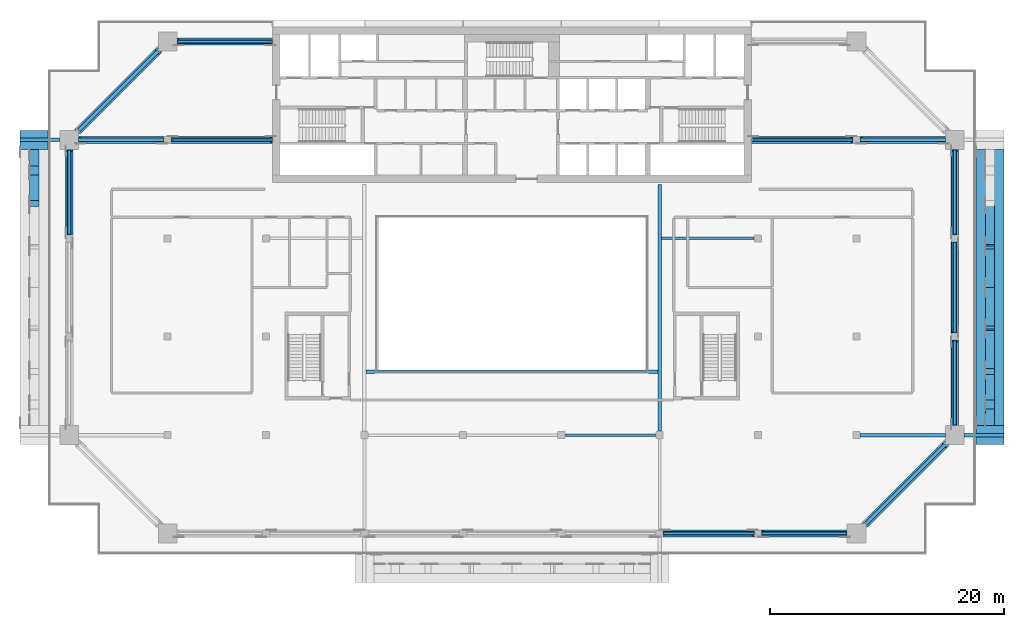
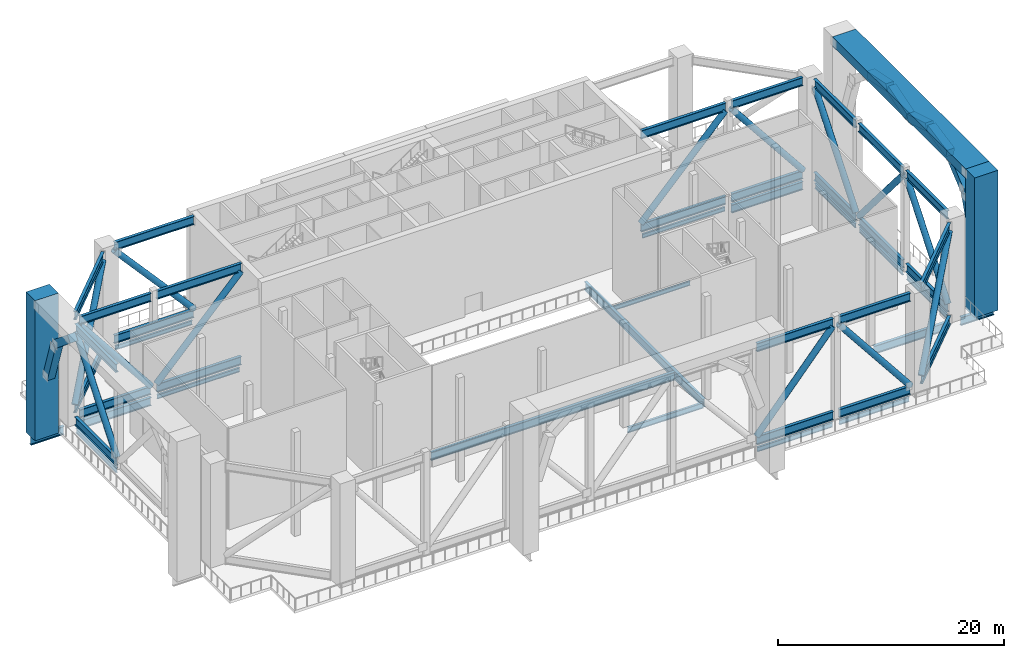
# One storey, part 2 of 19: 50 members, 18 beams.
"""IFC4 building model written with IfcOpenShell, lengths in metres."""

from ifc_helpers import new_model, si_unit, direction, frame, origin, origin_2d, place, context, subcontext, project, spatial, rectangle, hollow_circle, i_section, extrude, material, material_profile, profile_set, type_object, element, save


model = new_model("IFC4")

# Units and contexts
model_context = context("Model", 3, precision=1e-05, world=origin(), true_north=direction((0.0, 1.0)))
body_context = subcontext(model_context, "Body", "Model", "MODEL_VIEW")
ifc_project = project(units=[si_unit("LENGTHUNIT", "METRE"), si_unit("AREAUNIT", "SQUARE_METRE"), si_unit("VOLUMEUNIT", "CUBIC_METRE"), si_unit("PLANEANGLEUNIT", "RADIAN"), si_unit("MASSUNIT", "GRAM", prefix="KILO")], contexts=[model_context])

# Site, building, storey
site_placement = place(None, origin())
site = spatial("IfcSite", under=ifc_project, at=site_placement, CompositionType="ELEMENT")
building_placement = place(site_placement, origin())
building = spatial("IfcBuilding", under=site, at=building_placement, Name="Saffron Gate Tower", CompositionType="ELEMENT")
storey_placement = place(building_placement, frame((0.0, 0.0, 194.25)))
storey = spatial("IfcBuildingStorey", under=building, at=storey_placement, Name="L48", CompositionType="ELEMENT", Elevation=194.25)

# Beams
ifc_material_1 = material(Name="Structural steel S355", Category="steel")
ifc_material_profile_1 = material_profile(ifc_material_1, i_section(OverallWidth=0.199951171875, OverallDepth=0.5, WebThickness=0.01025390625, FlangeThickness=0.01611328125, FilletRadius=0.02099609375, at=origin_2d()))
ifc_profile_set_1 = profile_set([ifc_material_profile_1], Name="Structural steel S355")
beam_type_1 = type_object("IfcBeamType", Name="B11 IPE 500", PredefinedType="SPANDREL", material=ifc_profile_set_1)
beam_1_placement = place(storey_placement, frame((49.800048828125, 57.35009765625, -0.550048828125), z_axis=(0.0, 1.0, 0.0), x_axis=(-1.0, 0.0, 0.0)))
element("IfcBeam", 1, at=beam_1_placement, inside=storey, type_object=beam_type_1, Name="B11 SPANDREL BEAM", PredefinedType="SPANDREL", context=body_context, shape_type="SweptSolid", body=[
    extrude(i_section(OverallWidth=0.199951171875, OverallDepth=0.5, WebThickness=0.01025390625, FlangeThickness=0.01611328125, FilletRadius=0.02099609375, at=origin_2d()), origin(), (0.0, 0.0, 1.0), 7.14990234375),
])
beam_2_placement = place(storey_placement, frame((100.550048828125, 31.800048828125, -0.550048828125), z_axis=(1.0, 0.0, 0.0), x_axis=(0.0, 1.0, 0.0)))
element("IfcBeam", 2, at=beam_2_placement, inside=storey, type_object=beam_type_1, Name="B11 SPANDREL BEAM", PredefinedType="SPANDREL", context=body_context, shape_type="SweptSolid", body=[
    extrude(i_section(OverallWidth=0.199951171875, OverallDepth=0.5, WebThickness=0.01025390625, FlangeThickness=0.01611328125, FilletRadius=0.02099609375, at=origin_2d()), origin(), (0.0, 0.0, 1.0), 7.699951171875),
])
beam_3_placement = place(storey_placement, frame((108.949951171875, 31.800048828125, -0.550048828125), z_axis=(1.0, 0.0, 0.0), x_axis=(0.0, 1.0, 0.0)))
element("IfcBeam", 3, at=beam_3_placement, inside=storey, type_object=beam_type_1, Name="B11 SPANDREL BEAM", PredefinedType="SPANDREL", context=body_context, shape_type="SweptSolid", body=[
    extrude(i_section(OverallWidth=0.199951171875, OverallDepth=0.5, WebThickness=0.01025390625, FlangeThickness=0.01611328125, FilletRadius=0.02099609375, at=origin_2d()), origin(), (0.0, 0.0, 1.0), 7.150146484375),
])
beam_4_placement = place(storey_placement, frame((125.39990234375, 41.10009765625, -0.550048828125), z_axis=(0.0, 1.0, 0.0), x_axis=(-1.0, 0.0, 0.0)))
element("IfcBeam", 4, at=beam_4_placement, inside=storey, type_object=beam_type_1, Name="B11 SPANDREL BEAM", PredefinedType="SPANDREL", context=body_context, shape_type="SweptSolid", body=[
    extrude(i_section(OverallWidth=0.199951171875, OverallDepth=0.5, WebThickness=0.01025390625, FlangeThickness=0.01611328125, FilletRadius=0.02099609375, at=origin_2d()), origin(), (0.0, 0.0, 1.0), 7.14990234375),
])
beam_5_placement = place(storey_placement, frame((125.39990234375, 48.949951171875, -0.550048828125), z_axis=(0.0, 1.0, 0.0), x_axis=(-1.0, 0.0, 0.0)))
element("IfcBeam", 5, at=beam_5_placement, inside=storey, type_object=beam_type_1, Name="B11 SPANDREL BEAM", PredefinedType="SPANDREL", context=body_context, shape_type="SweptSolid", body=[
    extrude(i_section(OverallWidth=0.199951171875, OverallDepth=0.5, WebThickness=0.01025390625, FlangeThickness=0.01611328125, FilletRadius=0.02099609375, at=origin_2d()), origin(), (0.0, 0.0, 1.0), 7.699951171875),
])
beam_6_placement = place(storey_placement, frame((125.39990234375, 57.35009765625, -0.550048828125), z_axis=(0.0, 1.0, 0.0), x_axis=(-1.0, 0.0, 0.0)))
element("IfcBeam", 6, at=beam_6_placement, inside=storey, type_object=beam_type_1, Name="B11 SPANDREL BEAM", PredefinedType="SPANDREL", context=body_context, shape_type="SweptSolid", body=[
    extrude(i_section(OverallWidth=0.199951171875, OverallDepth=0.5, WebThickness=0.01025390625, FlangeThickness=0.01611328125, FilletRadius=0.02099609375, at=origin_2d()), origin(), (0.0, 0.0, 1.0), 7.14990234375),
])
ifc_material_profile_2 = material_profile(ifc_material_1, i_section(OverallWidth=0.219970703125, OverallDepth=0.60009765625, WebThickness=0.011962890625, FlangeThickness=0.01904296875, FilletRadius=0.02392578125, at=origin_2d()))
ifc_profile_set_2 = profile_set([ifc_material_profile_2], Name="Structural steel S355")
beam_type_2 = type_object("IfcBeamType", Name="B15 IPE 600", PredefinedType="BEAM", material=ifc_profile_set_2)
beam_7_placement = place(storey_placement, frame((92.14990234375, 40.199951171875, -0.60009765625), z_axis=(1.0, 0.0, 0.0), x_axis=(0.0, 1.0, 0.0)))
element("IfcBeam", 7, at=beam_7_placement, inside=storey, type_object=beam_type_2, Name="B15 FLOOR GIRDER", PredefinedType="BEAM", context=body_context, shape_type="SweptSolid", body=[
    extrude(i_section(OverallWidth=0.219970703125, OverallDepth=0.60009765625, WebThickness=0.011962890625, FlangeThickness=0.01904296875, FilletRadius=0.02392578125, at=origin_2d()), origin(), (0.0, 0.0, 1.0), 7.7001953125),
])
ifc_material_profile_3 = material_profile(ifc_material_1, i_section(OverallWidth=0.300048828125, OverallDepth=0.889892578125, WebThickness=0.01611328125, FlangeThickness=0.030029296875, FilletRadius=0.030029296875, at=origin_2d()))
ifc_profile_set_3 = profile_set([ifc_material_profile_3], Name="Structural steel S355")
beam_type_3 = type_object("IfcBeamType", Name="B19 HEA 900", PredefinedType="BEAM", material=ifc_profile_set_3)
beam_8_placement = place(storey_placement, frame((100.199951171875, 40.550048828125, -0.7451171875), z_axis=(0.0, 1.0, 0.0), x_axis=(-1.0, 0.0, 0.0)))
element("IfcBeam", 8, at=beam_8_placement, inside=storey, type_object=beam_type_3, Name="B19 ATRIUM GIRDER", PredefinedType="BEAM", context=body_context, shape_type="SweptSolid", body=[
    extrude(i_section(OverallWidth=0.300048828125, OverallDepth=0.889892578125, WebThickness=0.01611328125, FlangeThickness=0.030029296875, FilletRadius=0.030029296875, at=origin_2d()), origin(), (0.0, 0.0, 1.0), 21.050048828125),
])
beam_9_placement = place(storey_placement, frame((75.14990234375, 45.60009765625, -0.7451171875), z_axis=(1.0, 0.0, 0.0), x_axis=(0.0, 1.0, 0.0)))
element("IfcBeam", 9, at=beam_9_placement, inside=storey, type_object=beam_type_3, Name="B19 ATRIUM GIRDER", PredefinedType="BEAM", context=body_context, shape_type="SweptSolid", body=[
    extrude(i_section(OverallWidth=0.300048828125, OverallDepth=0.889892578125, WebThickness=0.01611328125, FlangeThickness=0.030029296875, FilletRadius=0.030029296875, at=origin_2d()), origin(), (0.0, 0.0, 1.0), 24.900146484375),
])
ifc_material_profile_4 = material_profile(ifc_material_1, i_section(OverallWidth=0.18994140625, OverallDepth=0.449951171875, WebThickness=0.009521484375, FlangeThickness=0.0146484375, FilletRadius=0.02099609375, at=origin_2d()))
ifc_profile_set_4 = profile_set([ifc_material_profile_4], Name="Structural steel S355")
beam_type_4 = type_object("IfcBeamType", Name="B6 IPE 450", PredefinedType="BEAM", material=ifc_profile_set_4)
beam_10_placement = place(storey_placement, frame((108.25, 57.0, -0.52490234375), z_axis=(-1.0, 0.0, 0.0), x_axis=(0.0, -1.0, 0.0)))
element("IfcBeam", 10, at=beam_10_placement, inside=storey, type_object=beam_type_4, Name="B6 CORE TIE BEAM", PredefinedType="BEAM", context=body_context, shape_type="SweptSolid", body=[
    extrude(i_section(OverallWidth=0.18994140625, OverallDepth=0.449951171875, WebThickness=0.009521484375, FlangeThickness=0.0146484375, FilletRadius=0.02099609375, at=origin_2d()), origin(), (0.0, 0.0, 1.0), 7.89990234375),
])
beam_11_placement = place(storey_placement, frame((58.550048828125, 65.39990234375, -0.52490234375), z_axis=(1.0, 0.0, 0.0), x_axis=(0.0, 1.0, 0.0)))
element("IfcBeam", 11, at=beam_11_placement, inside=storey, type_object=beam_type_4, Name="B6 CORE TIE BEAM", PredefinedType="BEAM", context=body_context, shape_type="SweptSolid", body=[
    extrude(i_section(OverallWidth=0.18994140625, OverallDepth=0.449951171875, WebThickness=0.009521484375, FlangeThickness=0.0146484375, FilletRadius=0.02099609375, at=origin_2d()), origin(), (0.0, 0.0, 1.0), 8.449951171875),
])
beam_12_placement = place(storey_placement, frame((59.10009765625, 73.800048828125, -0.52490234375), z_axis=(1.0, 0.0, 0.0), x_axis=(0.0, 1.0, 0.0)))
element("IfcBeam", 12, at=beam_12_placement, inside=storey, type_object=beam_type_4, Name="B6 CORE TIE BEAM", PredefinedType="BEAM", context=body_context, shape_type="SweptSolid", body=[
    extrude(i_section(OverallWidth=0.18994140625, OverallDepth=0.449951171875, WebThickness=0.009521484375, FlangeThickness=0.0146484375, FilletRadius=0.02099609375, at=origin_2d()), origin(), (0.0, 0.0, 1.0), 7.89990234375),
])
beam_13_placement = place(storey_placement, frame((116.64990234375, 65.39990234375, -0.52490234375), z_axis=(-1.0, 0.0, 0.0), x_axis=(0.0, -1.0, 0.0)))
element("IfcBeam", 13, at=beam_13_placement, inside=storey, type_object=beam_type_4, Name="B6 CORE TIE BEAM", PredefinedType="BEAM", context=body_context, shape_type="SweptSolid", body=[
    extrude(i_section(OverallWidth=0.18994140625, OverallDepth=0.449951171875, WebThickness=0.009521484375, FlangeThickness=0.0146484375, FilletRadius=0.02099609375, at=origin_2d()), origin(), (0.0, 0.0, 1.0), 8.449951171875),
])

# Members
ifc_material_profile_5 = material_profile(ifc_material_1, i_section(OverallWidth=0.300048828125, OverallDepth=0.89990234375, WebThickness=0.0185546875, FlangeThickness=0.034912109375, FilletRadius=0.030029296875, at=origin_2d()))
ifc_profile_set_5 = profile_set([ifc_material_profile_5], Name="Structural steel S355")
member_type_1 = type_object("IfcMemberType", Name="BT3 HEB 900", PredefinedType="CHORD", material=ifc_profile_set_5)
for number, where, z_axis, x_axis, name in (
    (14, (49.800048828125, 57.300048828125, 10.52001953125), (0.0, 1.0, 0.0), (-1.0, 0.0, 0.0), "BT3 BELT TRUSS TOP CHORD"),
    (15, (49.800048828125, 57.300048828125, 0.449951171875), (0.0, 1.0, 0.0), (-1.0, 0.0, 0.0), "BT3 BELT TRUSS BOTTOM CHORD"),
):
    element("IfcMember", number, at=place(storey_placement, frame(where, z_axis=z_axis, x_axis=x_axis)), inside=storey, type_object=member_type_1, Name=name, PredefinedType="CHORD", context=body_context, shape_type="SweptSolid", body=[
        extrude(i_section(OverallWidth=0.300048828125, OverallDepth=0.89990234375, WebThickness=0.0185546875, FlangeThickness=0.034912109375, FilletRadius=0.030029296875, at=origin_2d()), origin(), (0.0, 0.0, 1.0), 7.300048828125),
    ])
for number, where, z_axis, x_axis, name in (
    (16, (100.5, 31.800048828125, 10.52001953125), (1.0, 0.0, 0.0), (0.0, 1.0, 0.0), "BT3 BELT TRUSS TOP CHORD"),
    (17, (100.5, 31.800048828125, 0.449951171875), (1.0, 0.0, 0.0), (0.0, 1.0, 0.0), "BT3 BELT TRUSS BOTTOM CHORD"),
):
    element("IfcMember", number, at=place(storey_placement, frame(where, z_axis=z_axis, x_axis=x_axis)), inside=storey, type_object=member_type_1, Name=name, PredefinedType="CHORD", context=body_context, shape_type="SweptSolid", body=[
        extrude(i_section(OverallWidth=0.300048828125, OverallDepth=0.89990234375, WebThickness=0.0185546875, FlangeThickness=0.034912109375, FilletRadius=0.030029296875, at=origin_2d()), origin(), (0.0, 0.0, 1.0), 7.800048828125),
    ])
for number, where, z_axis, x_axis, name in (
    (18, (108.89990234375, 31.800048828125, 10.52001953125), (1.0, 0.0, 0.0), (0.0, 1.0, 0.0), "BT3 BELT TRUSS TOP CHORD"),
    (19, (108.89990234375, 31.800048828125, 0.449951171875), (1.0, 0.0, 0.0), (0.0, 1.0, 0.0), "BT3 BELT TRUSS BOTTOM CHORD"),
    (20, (125.39990234375, 41.0, 10.52001953125), (0.0, 1.0, 0.0), (-1.0, 0.0, 0.0), "BT3 BELT TRUSS TOP CHORD"),
    (21, (125.39990234375, 41.0, 0.449951171875), (0.0, 1.0, 0.0), (-1.0, 0.0, 0.0), "BT3 BELT TRUSS BOTTOM CHORD"),
):
    element("IfcMember", number, at=place(storey_placement, frame(where, z_axis=z_axis, x_axis=x_axis)), inside=storey, type_object=member_type_1, Name=name, PredefinedType="CHORD", context=body_context, shape_type="SweptSolid", body=[
        extrude(i_section(OverallWidth=0.300048828125, OverallDepth=0.89990234375, WebThickness=0.0185546875, FlangeThickness=0.034912109375, FilletRadius=0.030029296875, at=origin_2d()), origin(), (0.0, 0.0, 1.0), 7.300048828125),
    ])
for number, where, z_axis, x_axis, name in (
    (22, (125.39990234375, 48.89990234375, 10.52001953125), (0.0, 1.0, 0.0), (-1.0, 0.0, 0.0), "BT3 BELT TRUSS TOP CHORD"),
    (23, (125.39990234375, 48.89990234375, 0.449951171875), (0.0, 1.0, 0.0), (-1.0, 0.0, 0.0), "BT3 BELT TRUSS BOTTOM CHORD"),
):
    element("IfcMember", number, at=place(storey_placement, frame(where, z_axis=z_axis, x_axis=x_axis)), inside=storey, type_object=member_type_1, Name=name, PredefinedType="CHORD", context=body_context, shape_type="SweptSolid", body=[
        extrude(i_section(OverallWidth=0.300048828125, OverallDepth=0.89990234375, WebThickness=0.0185546875, FlangeThickness=0.034912109375, FilletRadius=0.030029296875, at=origin_2d()), origin(), (0.0, 0.0, 1.0), 7.800048828125),
    ])
for number, where, z_axis, x_axis, name in (
    (24, (125.39990234375, 57.300048828125, 10.52001953125), (0.0, 1.0, 0.0), (-1.0, 0.0, 0.0), "BT3 BELT TRUSS TOP CHORD"),
    (25, (125.39990234375, 57.300048828125, 0.449951171875), (0.0, 1.0, 0.0), (-1.0, 0.0, 0.0), "BT3 BELT TRUSS BOTTOM CHORD"),
):
    element("IfcMember", number, at=place(storey_placement, frame(where, z_axis=z_axis, x_axis=x_axis)), inside=storey, type_object=member_type_1, Name=name, PredefinedType="CHORD", context=body_context, shape_type="SweptSolid", body=[
        extrude(i_section(OverallWidth=0.300048828125, OverallDepth=0.89990234375, WebThickness=0.0185546875, FlangeThickness=0.034912109375, FilletRadius=0.030029296875, at=origin_2d()), origin(), (0.0, 0.0, 1.0), 7.300048828125),
    ])
for number, where, z_axis, x_axis, name in (
    (26, (117.800048828125, 32.60009765625, 10.52001953125), (0.707119474848, 0.707094087297, 0.0), (-0.707094087297, 0.707119474848, 0.0), "BT3 BELT TRUSS TOP CHORD"),
    (27, (117.800048828125, 32.60009765625, 0.449951171875), (0.707119474848, 0.707094087297, 0.0), (-0.707094087297, 0.707119474848, 0.0), "BT3 BELT TRUSS BOTTOM CHORD"),
    (28, (57.39990234375, 73.0, 10.52001953125), (-0.707094087297, -0.707119474848, 0.0), (0.707119474848, -0.707094087297, 0.0), "BT3 BELT TRUSS TOP CHORD"),
    (29, (57.39990234375, 73.0, 0.449951171875), (-0.707094087297, -0.707119474848, 0.0), (0.707119474848, -0.707094087297, 0.0), "BT3 BELT TRUSS BOTTOM CHORD"),
):
    element("IfcMember", number, at=place(storey_placement, frame(where, z_axis=z_axis, x_axis=x_axis)), inside=storey, type_object=member_type_1, Name=name, PredefinedType="CHORD", context=body_context, shape_type="SweptSolid", body=[
        extrude(i_section(OverallWidth=0.300048828125, OverallDepth=0.89990234375, WebThickness=0.0185546875, FlangeThickness=0.034912109375, FilletRadius=0.030029296875, at=origin_2d()), origin(), (0.0, 0.0, 1.0), 9.616455078125),
    ])
ifc_material_profile_6 = material_profile(ifc_material_1, hollow_circle(Radius=0.304931640625, WallThickness=0.02001953125, at=origin_2d()))
ifc_profile_set_6 = profile_set([ifc_material_profile_6], Name="Structural steel S355")
member_type_2 = type_object("IfcMemberType", Name="BT6 CHS 610x20", PredefinedType="BRACE", material=ifc_profile_set_6)
member_1_placement = place(storey_placement, frame((49.800048828125, 57.300048828125, 0.89990234375), z_axis=(0.0, 0.622816067841, 0.782368292839), x_axis=(-1.0, 0.0, 0.0)))
element("IfcMember", 30, at=member_1_placement, inside=storey, type_object=member_type_2, Name="BT6 BELT TRUSS DIAGONAL", PredefinedType="BRACE", context=body_context, shape_type="SweptSolid", body=[
    extrude(hollow_circle(Radius=0.304931640625, WallThickness=0.02001953125, at=origin_2d()), origin(), (0.0, 0.0, 1.0), 11.720947265625),
])
member_2_placement = place(storey_placement, frame((100.5, 31.800048828125, 0.89990234375), z_axis=(0.647909160404, 0.0, 0.761717611629), x_axis=(0.0, 1.0, 0.0)))
element("IfcMember", 31, at=member_2_placement, inside=storey, type_object=member_type_2, Name="BT6 BELT TRUSS DIAGONAL", PredefinedType="BRACE", context=body_context, shape_type="SweptSolid", body=[
    extrude(hollow_circle(Radius=0.304931640625, WallThickness=0.02001953125, at=origin_2d()), origin(), (0.0, 0.0, 1.0), 12.038818359375),
])
for number, where, z_axis, x_axis, name in (
    (32, (116.199951171875, 31.800048828125, 0.89990234375), (-0.622816067841, 0.0, 0.782368292839), (0.0, -1.0, 0.0), "BT6 BELT TRUSS DIAGONAL"),
    (33, (125.39990234375, 41.0, 0.89990234375), (0.0, 0.622816067841, 0.782368292839), (-1.0, 0.0, 0.0), "BT6 BELT TRUSS DIAGONAL"),
):
    element("IfcMember", number, at=place(storey_placement, frame(where, z_axis=z_axis, x_axis=x_axis)), inside=storey, type_object=member_type_2, Name=name, PredefinedType="BRACE", context=body_context, shape_type="SweptSolid", body=[
        extrude(hollow_circle(Radius=0.304931640625, WallThickness=0.02001953125, at=origin_2d()), origin(), (0.0, 0.0, 1.0), 11.720947265625),
    ])
member_3_placement = place(storey_placement, frame((125.39990234375, 56.699951171875, 0.89990234375), z_axis=(0.0, -0.647909160404, 0.761717611629), x_axis=(1.0, 0.0, 0.0)))
element("IfcMember", 34, at=member_3_placement, inside=storey, type_object=member_type_2, Name="BT6 BELT TRUSS DIAGONAL", PredefinedType="BRACE", context=body_context, shape_type="SweptSolid", body=[
    extrude(hollow_circle(Radius=0.304931640625, WallThickness=0.02001953125, at=origin_2d()), origin(), (0.0, 0.0, 1.0), 12.038818359375),
])
member_4_placement = place(storey_placement, frame((125.39990234375, 57.300048828125, 0.89990234375), z_axis=(0.0, 0.622816067841, 0.782368292839), x_axis=(-1.0, 0.0, 0.0)))
element("IfcMember", 35, at=member_4_placement, inside=storey, type_object=member_type_2, Name="BT6 BELT TRUSS DIAGONAL", PredefinedType="BRACE", context=body_context, shape_type="SweptSolid", body=[
    extrude(hollow_circle(Radius=0.304931640625, WallThickness=0.02001953125, at=origin_2d()), origin(), (0.0, 0.0, 1.0), 11.720947265625),
])
for number, where, z_axis, x_axis, name in (
    (36, (117.800048828125, 32.60009765625, 0.89990234375), (0.511745026966, 0.511726653899, 0.690110758549), (-0.707094087297, 0.707119474848, 0.0), "BT6 BELT TRUSS DIAGONAL"),
    (37, (50.60009765625, 66.199951171875, 0.89990234375), (0.511726653899, 0.511745026966, 0.690110758549), (-0.707119474848, 0.707094087297, 0.0), "BT6 BELT TRUSS DIAGONAL"),
):
    element("IfcMember", number, at=place(storey_placement, frame(where, z_axis=z_axis, x_axis=x_axis)), inside=storey, type_object=member_type_2, Name=name, PredefinedType="BRACE", context=body_context, shape_type="SweptSolid", body=[
        extrude(hollow_circle(Radius=0.304931640625, WallThickness=0.02001953125, at=origin_2d()), origin(), (0.0, 0.0, 1.0), 13.287841796875),
    ])
ifc_material_profile_7 = material_profile(ifc_material_1, i_section(OverallWidth=0.300048828125, OverallDepth=0.89990234375, WebThickness=0.0185546875, FlangeThickness=0.034912109375, FilletRadius=0.030029296875, at=origin_2d()))
ifc_profile_set_7 = profile_set([ifc_material_profile_7], Name="Structural steel S355")
member_type_3 = type_object("IfcMemberType", Name="OT2 HEB 900", PredefinedType="CHORD", material=ifc_profile_set_7)
for number, where, z_axis, x_axis, name in (
    (38, (50.60009765625, 65.39990234375, 10.52001953125), (1.0, 0.0, 0.0), (0.0, 1.0, 0.0), "OT2 OUTRIGGER TOP CHORD"),
    (39, (50.60009765625, 65.39990234375, 0.449951171875), (1.0, 0.0, 0.0), (0.0, 1.0, 0.0), "OT2 OUTRIGGER BOTTOM CHORD"),
):
    element("IfcMember", number, at=place(storey_placement, frame(where, z_axis=z_axis, x_axis=x_axis)), inside=storey, type_object=member_type_3, Name=name, PredefinedType="CHORD", context=body_context, shape_type="SweptSolid", body=[
        extrude(i_section(OverallWidth=0.300048828125, OverallDepth=0.89990234375, WebThickness=0.0185546875, FlangeThickness=0.034912109375, FilletRadius=0.030029296875, at=origin_2d()), origin(), (0.0, 0.0, 1.0), 7.2998046875),
    ])
for number, where, z_axis, x_axis, name in (
    (40, (58.5, 65.39990234375, 10.52001953125), (1.0, 0.0, 0.0), (0.0, 1.0, 0.0), "OT2 OUTRIGGER TOP CHORD"),
    (41, (58.5, 65.39990234375, 0.449951171875), (1.0, 0.0, 0.0), (0.0, 1.0, 0.0), "OT2 OUTRIGGER BOTTOM CHORD"),
):
    element("IfcMember", number, at=place(storey_placement, frame(where, z_axis=z_axis, x_axis=x_axis)), inside=storey, type_object=member_type_3, Name=name, PredefinedType="CHORD", context=body_context, shape_type="SweptSolid", body=[
        extrude(i_section(OverallWidth=0.300048828125, OverallDepth=0.89990234375, WebThickness=0.0185546875, FlangeThickness=0.034912109375, FilletRadius=0.030029296875, at=origin_2d()), origin(), (0.0, 0.0, 1.0), 8.64990234375),
    ])
for number, where, z_axis, x_axis, name in (
    (42, (59.0, 73.800048828125, 10.52001953125), (1.0, 0.0, 0.0), (0.0, 1.0, 0.0), "OT2 OUTRIGGER TOP CHORD"),
    (43, (59.0, 73.800048828125, 0.449951171875), (1.0, 0.0, 0.0), (0.0, 1.0, 0.0), "OT2 OUTRIGGER BOTTOM CHORD"),
):
    element("IfcMember", number, at=place(storey_placement, frame(where, z_axis=z_axis, x_axis=x_axis)), inside=storey, type_object=member_type_3, Name=name, PredefinedType="CHORD", context=body_context, shape_type="SweptSolid", body=[
        extrude(i_section(OverallWidth=0.300048828125, OverallDepth=0.89990234375, WebThickness=0.0185546875, FlangeThickness=0.034912109375, FilletRadius=0.030029296875, at=origin_2d()), origin(), (0.0, 0.0, 1.0), 8.14990234375),
    ])
for number, where, z_axis, x_axis, name in (
    (44, (124.60009765625, 65.39990234375, 10.52001953125), (-1.0, 0.0, 0.0), (0.0, -1.0, 0.0), "OT2 OUTRIGGER TOP CHORD"),
    (45, (124.60009765625, 65.39990234375, 0.449951171875), (-1.0, 0.0, 0.0), (0.0, -1.0, 0.0), "OT2 OUTRIGGER BOTTOM CHORD"),
):
    element("IfcMember", number, at=place(storey_placement, frame(where, z_axis=z_axis, x_axis=x_axis)), inside=storey, type_object=member_type_3, Name=name, PredefinedType="CHORD", context=body_context, shape_type="SweptSolid", body=[
        extrude(i_section(OverallWidth=0.300048828125, OverallDepth=0.89990234375, WebThickness=0.0185546875, FlangeThickness=0.034912109375, FilletRadius=0.030029296875, at=origin_2d()), origin(), (0.0, 0.0, 1.0), 7.300048828125),
    ])
for number, where, z_axis, x_axis, name in (
    (46, (116.699951171875, 65.39990234375, 10.52001953125), (-1.0, 0.0, 0.0), (0.0, -1.0, 0.0), "OT2 OUTRIGGER TOP CHORD"),
    (47, (116.699951171875, 65.39990234375, 0.449951171875), (-1.0, 0.0, 0.0), (0.0, -1.0, 0.0), "OT2 OUTRIGGER BOTTOM CHORD"),
):
    element("IfcMember", number, at=place(storey_placement, frame(where, z_axis=z_axis, x_axis=x_axis)), inside=storey, type_object=member_type_3, Name=name, PredefinedType="CHORD", context=body_context, shape_type="SweptSolid", body=[
        extrude(i_section(OverallWidth=0.300048828125, OverallDepth=0.89990234375, WebThickness=0.0185546875, FlangeThickness=0.034912109375, FilletRadius=0.030029296875, at=origin_2d()), origin(), (0.0, 0.0, 1.0), 8.64990234375),
    ])
ifc_material_profile_8 = material_profile(ifc_material_1, hollow_circle(Radius=0.304931640625, WallThickness=0.02001953125, at=origin_2d()))
ifc_profile_set_8 = profile_set([ifc_material_profile_8], Name="Structural steel S355")
member_type_4 = type_object("IfcMemberType", Name="OT5 CHS 610x20", PredefinedType="BRACE", material=ifc_profile_set_8)
member_5_placement = place(storey_placement, frame((57.89990234375, 65.39990234375, 0.89990234375), z_axis=(-0.622803317992, 0.0, 0.782378442378), x_axis=(0.0, -1.0, 0.0)))
element("IfcMember", 48, at=member_5_placement, inside=storey, type_object=member_type_4, Name="OT5 OUTRIGGER DIAGONAL", PredefinedType="BRACE", context=body_context, shape_type="SweptSolid", body=[
    extrude(hollow_circle(Radius=0.304931640625, WallThickness=0.02001953125, at=origin_2d()), origin(), (0.0, 0.0, 1.0), 11.720947265625),
])
member_6_placement = place(storey_placement, frame((58.5, 65.39990234375, 0.89990234375), z_axis=(0.686170156614, 0.0, 0.727441074021), x_axis=(0.0, 1.0, 0.0)))
element("IfcMember", 49, at=member_6_placement, inside=storey, type_object=member_type_4, Name="OT5 OUTRIGGER DIAGONAL", PredefinedType="BRACE", context=body_context, shape_type="SweptSolid", body=[
    extrude(hollow_circle(Radius=0.304931640625, WallThickness=0.02001953125, at=origin_2d()), origin(), (0.0, 0.0, 1.0), 12.60595703125),
])
member_7_placement = place(storey_placement, frame((67.14990234375, 73.800048828125, 0.89990234375), z_axis=(-0.664302077915, 0.0, 0.747464212707), x_axis=(0.0, -1.0, 0.0)))
element("IfcMember", 50, at=member_7_placement, inside=storey, type_object=member_type_4, Name="OT5 OUTRIGGER DIAGONAL", PredefinedType="BRACE", context=body_context, shape_type="SweptSolid", body=[
    extrude(hollow_circle(Radius=0.304931640625, WallThickness=0.02001953125, at=origin_2d()), origin(), (0.0, 0.0, 1.0), 12.268310546875),
])
member_8_placement = place(storey_placement, frame((124.60009765625, 65.39990234375, 0.89990234375), z_axis=(-0.622816067841, 0.0, 0.782368292839), x_axis=(0.0, -1.0, 0.0)))
element("IfcMember", 51, at=member_8_placement, inside=storey, type_object=member_type_4, Name="OT5 OUTRIGGER DIAGONAL", PredefinedType="BRACE", context=body_context, shape_type="SweptSolid", body=[
    extrude(hollow_circle(Radius=0.304931640625, WallThickness=0.02001953125, at=origin_2d()), origin(), (0.0, 0.0, 1.0), 11.720947265625),
])
member_9_placement = place(storey_placement, frame((108.050048828125, 65.39990234375, 0.89990234375), z_axis=(0.686170156614, 0.0, 0.727441074021), x_axis=(0.0, 1.0, 0.0)))
element("IfcMember", 52, at=member_9_placement, inside=storey, type_object=member_type_4, Name="OT5 OUTRIGGER DIAGONAL", PredefinedType="BRACE", context=body_context, shape_type="SweptSolid", body=[
    extrude(hollow_circle(Radius=0.304931640625, WallThickness=0.02001953125, at=origin_2d()), origin(), (0.0, 0.0, 1.0), 12.60595703125),
])
ifc_material_2 = material(Name="Concrete C60", Category="concrete")
ifc_material_profile_9 = material_profile(ifc_material_2, rectangle(XDim=0.800048828125, YDim=0.800048828125, at=origin_2d()))
ifc_profile_set_9 = profile_set([ifc_material_profile_9], Name="Concrete C60")
member_type_5 = type_object("IfcMemberType", Name="PA1 RC 800x800", PredefinedType="BRACE", material=ifc_profile_set_9)
member_10_placement = place(storey_placement, frame((128.39990234375, 41.39990234375, 6.517578125), z_axis=(0.0, 0.311866101482, 0.950126062555), x_axis=(-1.0, 0.0, 0.0)))
element("IfcMember", 53, at=member_10_placement, inside=storey, type_object=member_type_5, Name="PA1 PISHTAQ ARCH", PredefinedType="BRACE", context=body_context, shape_type="SweptSolid", body=[
    extrude(rectangle(XDim=0.800048828125, YDim=0.800048828125, at=origin_2d()), origin(), (0.0, 0.0, 1.0), 4.571044921875),
])
member_11_placement = place(storey_placement, frame((128.39990234375, 42.95068359375, 11.044189453125), z_axis=(0.0, 0.771329894849, 0.636435537436), x_axis=(-1.0, 0.0, 0.0)))
element("IfcMember", 54, at=member_11_placement, inside=storey, type_object=member_type_5, Name="PA1 PISHTAQ ARCH", PredefinedType="BRACE", context=body_context, shape_type="SweptSolid", body=[
    extrude(rectangle(XDim=0.800048828125, YDim=0.800048828125, at=origin_2d()), origin(), (0.0, 0.0, 1.0), 3.453125),
])
member_12_placement = place(storey_placement, frame((128.39990234375, 45.79052734375, 13.32568359375), z_axis=(0.0, 0.98073469826, 0.195344443559), x_axis=(-1.0, 0.0, 0.0)))
element("IfcMember", 55, at=member_12_placement, inside=storey, type_object=member_type_5, Name="PA1 PISHTAQ ARCH", PredefinedType="BRACE", context=body_context, shape_type="SweptSolid", body=[
    extrude(rectangle(XDim=0.800048828125, YDim=0.800048828125, at=origin_2d()), origin(), (0.0, 0.0, 1.0), 3.46826171875),
])
for number, where, z_axis, x_axis, name in (
    (56, (128.39990234375, 49.38720703125, 13.993408203125), (0.0, 0.956311969023, -0.292348110826), (-1.0, 0.0, 0.0), "PA1 PISHTAQ ARCH"),
    (57, (128.39990234375, 52.9169921875, 12.98583984375), (0.0, 0.956311969023, 0.292348110826), (-1.0, 0.0, 0.0), "PA1 PISHTAQ ARCH"),
):
    element("IfcMember", number, at=place(storey_placement, frame(where, z_axis=z_axis, x_axis=x_axis)), inside=storey, type_object=member_type_5, Name=name, PredefinedType="BRACE", context=body_context, shape_type="SweptSolid", body=[
        extrude(rectangle(XDim=0.800048828125, YDim=0.800048828125, at=origin_2d()), origin(), (0.0, 0.0, 1.0), 3.446533203125),
    ])
member_13_placement = place(storey_placement, frame((128.39990234375, 56.407958984375, 14.003173828125), z_axis=(0.0, 0.98073469826, -0.195344443559), x_axis=(-1.0, 0.0, 0.0)))
element("IfcMember", 58, at=member_13_placement, inside=storey, type_object=member_type_5, Name="PA1 PISHTAQ ARCH", PredefinedType="BRACE", context=body_context, shape_type="SweptSolid", body=[
    extrude(rectangle(XDim=0.800048828125, YDim=0.800048828125, at=origin_2d()), origin(), (0.0, 0.0, 1.0), 3.46826171875),
])
member_14_placement = place(storey_placement, frame((46.800048828125, 59.98583984375, 13.241943359375), z_axis=(0.0, 0.771301255722, -0.636470245119), x_axis=(-1.0, 0.0, 0.0)))
element("IfcMember", 59, at=member_14_placement, inside=storey, type_object=member_type_5, Name="PA1 PISHTAQ ARCH", PredefinedType="BRACE", context=body_context, shape_type="SweptSolid", body=[
    extrude(rectangle(XDim=0.800048828125, YDim=0.800048828125, at=origin_2d()), origin(), (0.0, 0.0, 1.0), 3.453125),
])
member_15_placement = place(storey_placement, frame((46.800048828125, 62.774658203125, 10.860595703125), z_axis=(0.0, 0.311817884168, -0.950141887885), x_axis=(-1.0, 0.0, 0.0)))
element("IfcMember", 60, at=member_15_placement, inside=storey, type_object=member_type_5, Name="PA1 PISHTAQ ARCH", PredefinedType="BRACE", context=body_context, shape_type="SweptSolid", body=[
    extrude(rectangle(XDim=0.800048828125, YDim=0.800048828125, at=origin_2d()), origin(), (0.0, 0.0, 1.0), 4.57080078125),
])
ifc_material_profile_10 = material_profile(ifc_material_2, rectangle(XDim=2.39990234375, YDim=1.0, at=origin_2d()))
ifc_profile_set_10 = profile_set([ifc_material_profile_10], Name="Concrete C60")
member_type_6 = type_object("IfcMemberType", Name="PK1 RC 2400x1000", PredefinedType="BRACE", material=ifc_profile_set_10)
member_16_placement = place(storey_placement, frame((128.39990234375, 41.0, 14.35009765625), z_axis=(0.0, 1.0, 0.0), x_axis=(-1.0, 0.0, 0.0)))
element("IfcMember", 61, at=member_16_placement, inside=storey, type_object=member_type_6, Name="PK1 PISHTAQ CAP BEAM", PredefinedType="BRACE", context=body_context, shape_type="SweptSolid", body=[
    extrude(rectangle(XDim=2.39990234375, YDim=1.0, at=origin_2d()), origin(), (0.0, 0.0, 1.0), 23.60009765625),
])
ifc_material_profile_11 = material_profile(ifc_material_2, rectangle(XDim=2.39990234375, YDim=1.60009765625, at=origin_2d()))
ifc_profile_set_11 = profile_set([ifc_material_profile_11], Name="Concrete C60")
member_type_7 = type_object("IfcMemberType", Name="PP1 RC 2400x1600", PredefinedType="POST", material=ifc_profile_set_11)
for number, where, z_axis, x_axis, name in (
    (62, (128.39990234375, 40.199951171875, -0.300048828125), (0.0, 0.0, 1.0), (1.0, 0.0, 0.0), "PP1 PISHTAQ PIER"),
    (63, (46.800048828125, 65.39990234375, -0.300048828125), (0.0, 0.0, 1.0), (1.0, 0.0, 0.0), "PP1 PISHTAQ PIER"),
):
    element("IfcMember", number, at=place(storey_placement, frame(where, z_axis=z_axis, x_axis=x_axis)), inside=storey, type_object=member_type_7, Name=name, PredefinedType="POST", context=body_context, shape_type="SweptSolid", body=[
        extrude(rectangle(XDim=2.39990234375, YDim=1.60009765625, at=origin_2d()), origin(), (0.0, 0.0, 1.0), 15.150146484375),
    ])

# Beams
ifc_material_profile_12 = material_profile(ifc_material_1, i_section(OverallWidth=0.300048828125, OverallDepth=0.889892578125, WebThickness=0.01611328125, FlangeThickness=0.030029296875, FilletRadius=0.030029296875, at=origin_2d()))
ifc_profile_set_12 = profile_set([ifc_material_profile_12], Name="Structural steel S355")
beam_type_5 = type_object("IfcBeamType", Name="PQ1 HEA 900", PredefinedType="BEAM", material=ifc_profile_set_12)
beam_14_placement = place(storey_placement, frame((129.60009765625, 40.199951171875, -0.7451171875), z_axis=(-1.0, 0.0, 0.0), x_axis=(0.0, -1.0, 0.0)))
element("IfcBeam", 64, at=beam_14_placement, inside=storey, type_object=beam_type_5, Name="PQ1 PISHTAQ PIER BEAM", PredefinedType="BEAM", context=body_context, shape_type="SweptSolid", body=[
    extrude(i_section(OverallWidth=0.300048828125, OverallDepth=0.889892578125, WebThickness=0.01611328125, FlangeThickness=0.030029296875, FilletRadius=0.030029296875, at=origin_2d()), origin(), (0.0, 0.0, 1.0), 3.400146484375),
])
for number, where, z_axis, x_axis, name in (
    (65, (124.60009765625, 40.199951171875, -0.7451171875), (-1.0, 0.0, 0.0), (0.0, -1.0, 0.0), "PQ1 PISHTAQ PIER BEAM"),
    (66, (124.60009765625, 65.39990234375, -0.7451171875), (-1.0, 0.0, 0.0), (0.0, -1.0, 0.0), "PQ1 PISHTAQ PIER BEAM"),
):
    element("IfcBeam", number, at=place(storey_placement, frame(where, z_axis=z_axis, x_axis=x_axis)), inside=storey, type_object=beam_type_5, Name=name, PredefinedType="BEAM", context=body_context, shape_type="SweptSolid", body=[
        extrude(i_section(OverallWidth=0.300048828125, OverallDepth=0.889892578125, WebThickness=0.01611328125, FlangeThickness=0.030029296875, FilletRadius=0.030029296875, at=origin_2d()), origin(), (0.0, 0.0, 1.0), 7.300048828125),
    ])
beam_15_placement = place(storey_placement, frame((45.60009765625, 65.39990234375, -0.7451171875), z_axis=(1.0, 0.0, 0.0), x_axis=(0.0, 1.0, 0.0)))
element("IfcBeam", 67, at=beam_15_placement, inside=storey, type_object=beam_type_5, Name="PQ1 PISHTAQ PIER BEAM", PredefinedType="BEAM", context=body_context, shape_type="SweptSolid", body=[
    extrude(i_section(OverallWidth=0.300048828125, OverallDepth=0.889892578125, WebThickness=0.01611328125, FlangeThickness=0.030029296875, FilletRadius=0.030029296875, at=origin_2d()), origin(), (0.0, 0.0, 1.0), 3.39990234375),
])
beam_16_placement = place(storey_placement, frame((50.60009765625, 65.39990234375, -0.7451171875), z_axis=(1.0, 0.0, 0.0), x_axis=(0.0, 1.0, 0.0)))
element("IfcBeam", 68, at=beam_16_placement, inside=storey, type_object=beam_type_5, Name="PQ1 PISHTAQ PIER BEAM", PredefinedType="BEAM", context=body_context, shape_type="SweptSolid", body=[
    extrude(i_section(OverallWidth=0.300048828125, OverallDepth=0.889892578125, WebThickness=0.01611328125, FlangeThickness=0.030029296875, FilletRadius=0.030029296875, at=origin_2d()), origin(), (0.0, 0.0, 1.0), 7.2998046875),
])

save(model, "model.ifc")
